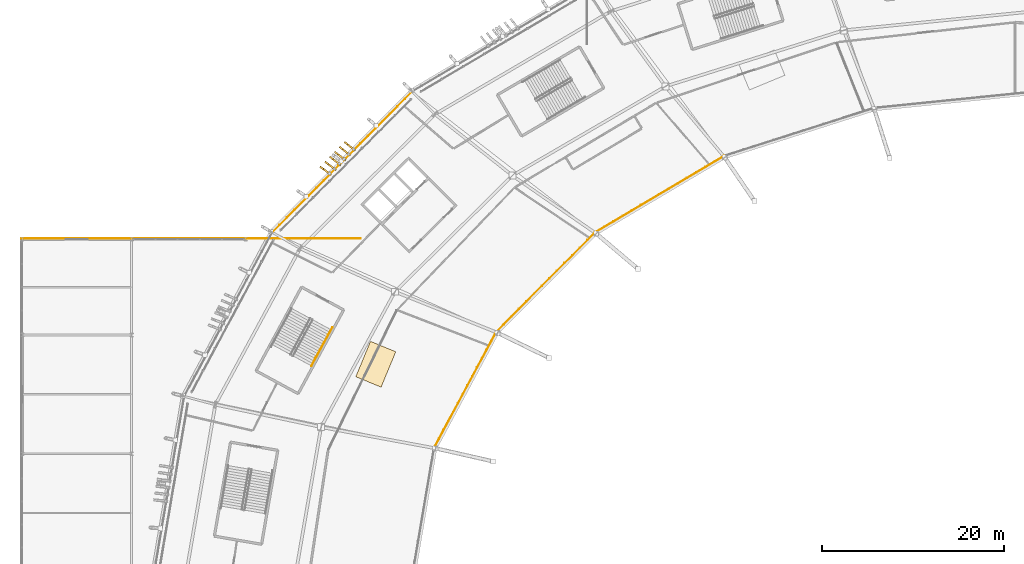
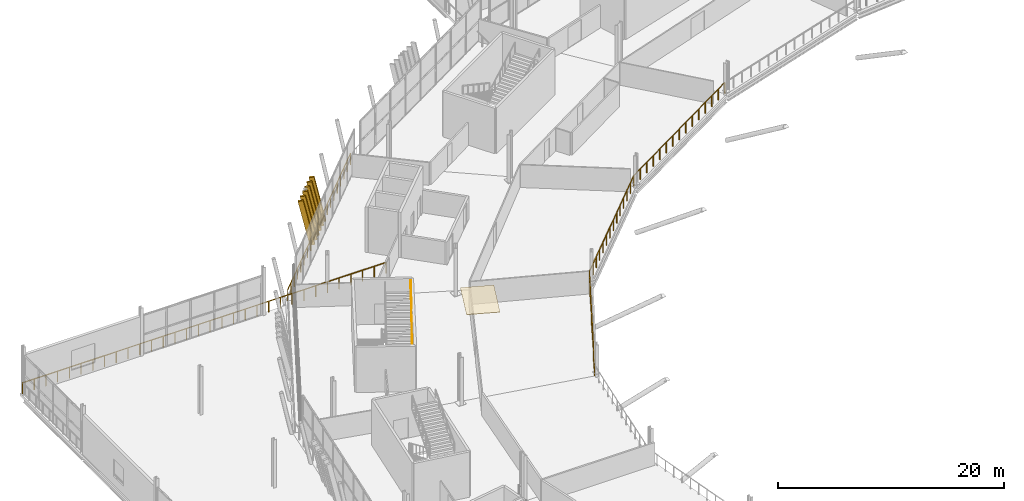
# One storey, part 151 of 168: 6 railings, 6 shading devices, 1 covering.
"""IFC4 building model written with IfcOpenShell, lengths in metres."""

from ifc_helpers import new_model, si_unit, direction, frame, origin, origin_2d, place, context, subcontext, project, spatial, polyline, rectangle, outline, extrude, material, layer, layer_set, material_profile, profile_set, type_object, element, save


model = new_model("IFC4")

# Units and contexts
model_context = context("Model", 3, precision=1e-05, world=origin(), true_north=direction((0.0, 1.0)))
body_context = subcontext(model_context, "Body", "Model", "MODEL_VIEW")
ifc_project = project(units=[si_unit("LENGTHUNIT", "METRE"), si_unit("AREAUNIT", "SQUARE_METRE"), si_unit("VOLUMEUNIT", "CUBIC_METRE"), si_unit("PLANEANGLEUNIT", "RADIAN"), si_unit("MASSUNIT", "GRAM", prefix="KILO")], contexts=[model_context])

# Site, building, storey
site_placement = place(None, origin())
site = spatial("IfcSite", under=ifc_project, at=site_placement, CompositionType="ELEMENT")
building_placement = place(site_placement, origin())
building = spatial("IfcBuilding", under=site, at=building_placement, Name="Zlatoyarsky Gate Stadium", CompositionType="ELEMENT")
storey_placement = place(building_placement, frame((0.0, 0.0, 15.60009765625)))
storey = spatial("IfcBuildingStorey", under=building, at=storey_placement, Name="L03", CompositionType="ELEMENT", Elevation=15.60009765625)

# Railings
ifc_material_1 = material(Name="Powder-coated steel tubular guardrail", Category="steel")
railing_type_1 = type_object("IfcRailingType", Name="CONCOURSE SLAB EDGE GUARDRAIL 1200", PredefinedType="GUARDRAIL", material=ifc_material_1)
railing_1_placement = place(storey_placement, frame((76.909912109375, 125.622314453125, 0.0)))
element("IfcRailing", 1, at=railing_1_placement, inside=storey, type_object=railing_type_1, Name="L03 inner bowl edge guardrail 08", PredefinedType="GUARDRAIL", context=body_context, shape_type="SweptSolid", body=[
    extrude(rectangle(XDim=0.048095703125, YDim=0.048095703125, at=origin_2d()), frame((0.0, 0.0, 1.17578125), z_axis=(-0.860179176511, -0.509991945325, 0.0), x_axis=(0.509991945325, -0.860179176511, 0.0)), (0.0, 0.0, 1.0), 16.41552734375),
    extrude(rectangle(XDim=0.0419921875, YDim=0.0419921875, at=origin_2d()), origin(), (0.0, 0.0, 1.0), 1.15185546875),
    extrude(rectangle(XDim=0.0419921875, YDim=0.0419921875, at=origin_2d()), frame((-1.008544921875, -0.597900390625, 0.0)), (0.0, 0.0, 1.0), 1.15185546875),
    extrude(rectangle(XDim=0.0419921875, YDim=0.0419921875, at=origin_2d()), frame((-2.01708984375, -1.196044921875, 0.0)), (0.0, 0.0, 1.0), 1.15185546875),
    extrude(rectangle(XDim=0.0419921875, YDim=0.0419921875, at=origin_2d()), frame((-3.02587890625, -1.7939453125, 0.0)), (0.0, 0.0, 1.0), 1.15185546875),
    extrude(rectangle(XDim=0.0419921875, YDim=0.0419921875, at=origin_2d()), frame((-4.034423828125, -2.391845703125, 0.0)), (0.0, 0.0, 1.0), 1.15185546875),
    extrude(rectangle(XDim=0.0419921875, YDim=0.0419921875, at=origin_2d()), frame((-5.04296875, -2.989990234375, 0.0)), (0.0, 0.0, 1.0), 1.15185546875),
    extrude(rectangle(XDim=0.0419921875, YDim=0.0419921875, at=origin_2d()), frame((-6.051513671875, -3.587890625, 0.0)), (0.0, 0.0, 1.0), 1.15185546875),
    extrude(rectangle(XDim=0.0419921875, YDim=0.0419921875, at=origin_2d()), frame((-7.06005859375, -4.18603515625, 0.0)), (0.0, 0.0, 1.0), 1.15185546875),
    extrude(rectangle(XDim=0.0419921875, YDim=0.0419921875, at=origin_2d()), frame((-8.06884765625, -4.783935546875, 0.0)), (0.0, 0.0, 1.0), 1.15185546875),
    extrude(rectangle(XDim=0.0419921875, YDim=0.0419921875, at=origin_2d()), frame((-9.077392578125, -5.3818359375, 0.0)), (0.0, 0.0, 1.0), 1.15185546875),
    extrude(rectangle(XDim=0.0419921875, YDim=0.0419921875, at=origin_2d()), frame((-10.0859375, -5.97998046875, 0.0)), (0.0, 0.0, 1.0), 1.15185546875),
    extrude(rectangle(XDim=0.0419921875, YDim=0.0419921875, at=origin_2d()), frame((-11.094482421875, -6.577880859375, 0.0)), (0.0, 0.0, 1.0), 1.15185546875),
    extrude(rectangle(XDim=0.0419921875, YDim=0.0419921875, at=origin_2d()), frame((-12.103271484375, -7.17578125, 0.0)), (0.0, 0.0, 1.0), 1.15185546875),
    extrude(rectangle(XDim=0.0419921875, YDim=0.0419921875, at=origin_2d()), frame((-13.11181640625, -7.77392578125, 0.0)), (0.0, 0.0, 1.0), 1.15185546875),
    extrude(rectangle(XDim=0.0419921875, YDim=0.0419921875, at=origin_2d()), frame((-14.120361328125, -8.371826171875, 0.0)), (0.0, 0.0, 1.0), 1.15185546875),
])
railing_2_placement = place(storey_placement, frame((62.78955078125, 117.25048828125, 0.0)))
element("IfcRailing", 2, at=railing_2_placement, inside=storey, type_object=railing_type_1, Name="L03 inner bowl edge guardrail 09", PredefinedType="GUARDRAIL", context=body_context, shape_type="SweptSolid", body=[
    extrude(rectangle(XDim=0.048095703125, YDim=0.048095703125, at=origin_2d()), frame((0.0, 0.0, 1.17578125), z_axis=(-0.704657425229, -0.709547682027, 0.0), x_axis=(0.709547682027, -0.704657425229, 0.0)), (0.0, 0.0, 1.0), 15.37646484375),
    extrude(rectangle(XDim=0.0419921875, YDim=0.0419921875, at=origin_2d()), origin(), (0.0, 0.0, 1.0), 1.15185546875),
    extrude(rectangle(XDim=0.0419921875, YDim=0.0419921875, at=origin_2d()), frame((-0.83349609375, -0.83935546875, 0.0)), (0.0, 0.0, 1.0), 1.15185546875),
    extrude(rectangle(XDim=0.0419921875, YDim=0.0419921875, at=origin_2d()), frame((-1.6669921875, -1.678466796875, 0.0)), (0.0, 0.0, 1.0), 1.15185546875),
    extrude(rectangle(XDim=0.0419921875, YDim=0.0419921875, at=origin_2d()), frame((-2.50048828125, -2.517822265625, 0.0)), (0.0, 0.0, 1.0), 1.15185546875),
    extrude(rectangle(XDim=0.0419921875, YDim=0.0419921875, at=origin_2d()), frame((-3.333984375, -3.35693359375, 0.0)), (0.0, 0.0, 1.0), 1.15185546875),
    extrude(rectangle(XDim=0.0419921875, YDim=0.0419921875, at=origin_2d()), frame((-4.16748046875, -4.1962890625, 0.0)), (0.0, 0.0, 1.0), 1.15185546875),
    extrude(rectangle(XDim=0.0419921875, YDim=0.0419921875, at=origin_2d()), frame((-5.0009765625, -5.03564453125, 0.0)), (0.0, 0.0, 1.0), 1.15185546875),
    extrude(rectangle(XDim=0.0419921875, YDim=0.0419921875, at=origin_2d()), frame((-5.834228515625, -5.874755859375, 0.0)), (0.0, 0.0, 1.0), 1.15185546875),
    extrude(rectangle(XDim=0.0419921875, YDim=0.0419921875, at=origin_2d()), frame((-6.667724609375, -6.714111328125, 0.0)), (0.0, 0.0, 1.0), 1.15185546875),
    extrude(rectangle(XDim=0.0419921875, YDim=0.0419921875, at=origin_2d()), frame((-7.501220703125, -7.553466796875, 0.0)), (0.0, 0.0, 1.0), 1.15185546875),
    extrude(rectangle(XDim=0.0419921875, YDim=0.0419921875, at=origin_2d()), frame((-8.334716796875, -8.392578125, 0.0)), (0.0, 0.0, 1.0), 1.15185546875),
    extrude(rectangle(XDim=0.0419921875, YDim=0.0419921875, at=origin_2d()), frame((-9.168212890625, -9.23193359375, 0.0)), (0.0, 0.0, 1.0), 1.15185546875),
    extrude(rectangle(XDim=0.0419921875, YDim=0.0419921875, at=origin_2d()), frame((-10.001708984375, -10.071044921875, 0.0)), (0.0, 0.0, 1.0), 1.15185546875),
    extrude(rectangle(XDim=0.0419921875, YDim=0.0419921875, at=origin_2d()), frame((-10.835205078125, -10.910400390625, 0.0)), (0.0, 0.0, 1.0), 1.15185546875),
])
railing_3_placement = place(storey_placement, frame((51.954345703125, 106.340087890625, 0.0)))
element("IfcRailing", 3, at=railing_3_placement, inside=storey, type_object=railing_type_1, Name="L03 inner bowl edge guardrail 10", PredefinedType="GUARDRAIL", context=body_context, shape_type="SweptSolid", body=[
    extrude(rectangle(XDim=0.048095703125, YDim=0.048095703125, at=origin_2d()), frame((0.0, 0.0, 1.17578125), z_axis=(-0.472462954592, -0.88135052989, 0.0), x_axis=(0.88135052989, -0.472462954592, 0.0)), (0.0, 0.0, 1.0), 14.416015625),
    extrude(rectangle(XDim=0.0419921875, YDim=0.0419921875, at=origin_2d()), origin(), (0.0, 0.0, 1.0), 1.15185546875),
    extrude(rectangle(XDim=0.0419921875, YDim=0.0419921875, at=origin_2d()), frame((-0.52392578125, -0.977294921875, 0.0)), (0.0, 0.0, 1.0), 1.15185546875),
    extrude(rectangle(XDim=0.0419921875, YDim=0.0419921875, at=origin_2d()), frame((-1.0478515625, -1.95458984375, 0.0)), (0.0, 0.0, 1.0), 1.15185546875),
    extrude(rectangle(XDim=0.0419921875, YDim=0.0419921875, at=origin_2d()), frame((-1.57177734375, -2.93212890625, 0.0)), (0.0, 0.0, 1.0), 1.15185546875),
    extrude(rectangle(XDim=0.0419921875, YDim=0.0419921875, at=origin_2d()), frame((-2.095703125, -3.909423828125, 0.0)), (0.0, 0.0, 1.0), 1.15185546875),
    extrude(rectangle(XDim=0.0419921875, YDim=0.0419921875, at=origin_2d()), frame((-2.61962890625, -4.88671875, 0.0)), (0.0, 0.0, 1.0), 1.15185546875),
    extrude(rectangle(XDim=0.0419921875, YDim=0.0419921875, at=origin_2d()), frame((-3.1435546875, -5.864013671875, 0.0)), (0.0, 0.0, 1.0), 1.15185546875),
    extrude(rectangle(XDim=0.0419921875, YDim=0.0419921875, at=origin_2d()), frame((-3.66748046875, -6.841552734375, 0.0)), (0.0, 0.0, 1.0), 1.15185546875),
    extrude(rectangle(XDim=0.0419921875, YDim=0.0419921875, at=origin_2d()), frame((-4.19140625, -7.81884765625, 0.0)), (0.0, 0.0, 1.0), 1.15185546875),
    extrude(rectangle(XDim=0.0419921875, YDim=0.0419921875, at=origin_2d()), frame((-4.71533203125, -8.796142578125, 0.0)), (0.0, 0.0, 1.0), 1.15185546875),
    extrude(rectangle(XDim=0.0419921875, YDim=0.0419921875, at=origin_2d()), frame((-5.2392578125, -9.7734375, 0.0)), (0.0, 0.0, 1.0), 1.15185546875),
    extrude(rectangle(XDim=0.0419921875, YDim=0.0419921875, at=origin_2d()), frame((-5.76318359375, -10.7509765625, 0.0)), (0.0, 0.0, 1.0), 1.15185546875),
    extrude(rectangle(XDim=0.0419921875, YDim=0.0419921875, at=origin_2d()), frame((-6.287109375, -11.728271484375, 0.0)), (0.0, 0.0, 1.0), 1.15185546875),
    extrude(rectangle(XDim=0.0419921875, YDim=0.0419921875, at=origin_2d()), frame((-6.81103515625, -12.70556640625, 0.0)), (0.0, 0.0, 1.0), 1.15185546875),
])
railing_4_placement = place(storey_placement, frame((42.74853515625, 132.6953125, 0.0)))
element("IfcRailing", 4, at=railing_4_placement, inside=storey, type_object=railing_type_1, Name="L03 outer slab edge guardrail 09", PredefinedType="GUARDRAIL", context=body_context, shape_type="SweptSolid", body=[
    extrude(rectangle(XDim=0.048095703125, YDim=0.048095703125, at=origin_2d()), frame((0.0, 0.0, 1.17578125), z_axis=(-0.704921221099, -0.709285606822, 0.0), x_axis=(0.709285606822, -0.704921221099, 0.0)), (0.0, 0.0, 1.0), 21.760498046875),
    extrude(rectangle(XDim=0.0419921875, YDim=0.0419921875, at=origin_2d()), origin(), (0.0, 0.0, 1.0), 1.15185546875),
    extrude(rectangle(XDim=0.0419921875, YDim=0.0419921875, at=origin_2d()), frame((-0.807373046875, -0.812255859375, 0.0)), (0.0, 0.0, 1.0), 1.15185546875),
    extrude(rectangle(XDim=0.0419921875, YDim=0.0419921875, at=origin_2d()), frame((-1.61474609375, -1.624755859375, 0.0)), (0.0, 0.0, 1.0), 1.15185546875),
    extrude(rectangle(XDim=0.0419921875, YDim=0.0419921875, at=origin_2d()), frame((-2.422119140625, -2.43701171875, 0.0)), (0.0, 0.0, 1.0), 1.15185546875),
    extrude(rectangle(XDim=0.0419921875, YDim=0.0419921875, at=origin_2d()), frame((-3.229248046875, -3.249267578125, 0.0)), (0.0, 0.0, 1.0), 1.15185546875),
    extrude(rectangle(XDim=0.0419921875, YDim=0.0419921875, at=origin_2d()), frame((-4.03662109375, -4.061767578125, 0.0)), (0.0, 0.0, 1.0), 1.15185546875),
    extrude(rectangle(XDim=0.0419921875, YDim=0.0419921875, at=origin_2d()), frame((-4.843994140625, -4.8740234375, 0.0)), (0.0, 0.0, 1.0), 1.15185546875),
    extrude(rectangle(XDim=0.0419921875, YDim=0.0419921875, at=origin_2d()), frame((-5.6513671875, -5.686279296875, 0.0)), (0.0, 0.0, 1.0), 1.15185546875),
    extrude(rectangle(XDim=0.0419921875, YDim=0.0419921875, at=origin_2d()), frame((-6.458740234375, -6.498779296875, 0.0)), (0.0, 0.0, 1.0), 1.15185546875),
    extrude(rectangle(XDim=0.0419921875, YDim=0.0419921875, at=origin_2d()), frame((-7.26611328125, -7.31103515625, 0.0)), (0.0, 0.0, 1.0), 1.15185546875),
    extrude(rectangle(XDim=0.0419921875, YDim=0.0419921875, at=origin_2d()), frame((-8.0732421875, -8.123291015625, 0.0)), (0.0, 0.0, 1.0), 1.15185546875),
    extrude(rectangle(XDim=0.0419921875, YDim=0.0419921875, at=origin_2d()), frame((-8.880615234375, -8.935546875, 0.0)), (0.0, 0.0, 1.0), 1.15185546875),
    extrude(rectangle(XDim=0.0419921875, YDim=0.0419921875, at=origin_2d()), frame((-9.68798828125, -9.748046875, 0.0)), (0.0, 0.0, 1.0), 1.15185546875),
    extrude(rectangle(XDim=0.0419921875, YDim=0.0419921875, at=origin_2d()), frame((-10.495361328125, -10.560302734375, 0.0)), (0.0, 0.0, 1.0), 1.15185546875),
    extrude(rectangle(XDim=0.0419921875, YDim=0.0419921875, at=origin_2d()), frame((-11.302734375, -11.37255859375, 0.0)), (0.0, 0.0, 1.0), 1.15185546875),
    extrude(rectangle(XDim=0.0419921875, YDim=0.0419921875, at=origin_2d()), frame((-12.110107421875, -12.18505859375, 0.0)), (0.0, 0.0, 1.0), 1.15185546875),
    extrude(rectangle(XDim=0.0419921875, YDim=0.0419921875, at=origin_2d()), frame((-12.917236328125, -12.997314453125, 0.0)), (0.0, 0.0, 1.0), 1.15185546875),
    extrude(rectangle(XDim=0.0419921875, YDim=0.0419921875, at=origin_2d()), frame((-13.724609375, -13.8095703125, 0.0)), (0.0, 0.0, 1.0), 1.15185546875),
    extrude(rectangle(XDim=0.0419921875, YDim=0.0419921875, at=origin_2d()), frame((-14.531982421875, -14.6220703125, 0.0)), (0.0, 0.0, 1.0), 1.15185546875),
    extrude(rectangle(XDim=0.0419921875, YDim=0.0419921875, at=origin_2d()), frame((-15.33935546875, -15.434326171875, 0.0)), (0.0, 0.0, 1.0), 1.15185546875),
])
railing_5_placement = place(storey_placement, frame((-0.080078125, 116.580078125, 0.0)))
element("IfcRailing", 5, at=railing_5_placement, inside=storey, type_object=railing_type_1, Name="V4_WEST L03 N slab edge guardrail", PredefinedType="GUARDRAIL", context=body_context, shape_type="SweptSolid", body=[
    extrude(rectangle(XDim=0.048095703125, YDim=0.048095703125, at=origin_2d()), frame((0.0, 0.0, 1.17578125), z_axis=(1.0, 0.0, 0.0), x_axis=(0.0, 1.0, 0.0)), (0.0, 0.0, 1.0), 37.16015625),
    extrude(rectangle(XDim=0.0419921875, YDim=0.0419921875, at=origin_2d()), origin(), (0.0, 0.0, 1.0), 1.15185546875),
    extrude(rectangle(XDim=0.0419921875, YDim=0.0419921875, at=origin_2d()), frame((1.19873046875, 0.0, 0.0)), (0.0, 0.0, 1.0), 1.15185546875),
    extrude(rectangle(XDim=0.0419921875, YDim=0.0419921875, at=origin_2d()), frame((2.3974609375, 0.0, 0.0)), (0.0, 0.0, 1.0), 1.15185546875),
    extrude(rectangle(XDim=0.0419921875, YDim=0.0419921875, at=origin_2d()), frame((3.59619140625, 0.0, 0.0)), (0.0, 0.0, 1.0), 1.15185546875),
    extrude(rectangle(XDim=0.0419921875, YDim=0.0419921875, at=origin_2d()), frame((4.794921875, 0.0, 0.0)), (0.0, 0.0, 1.0), 1.15185546875),
    extrude(rectangle(XDim=0.0419921875, YDim=0.0419921875, at=origin_2d()), frame((5.99365234375, 0.0, 0.0)), (0.0, 0.0, 1.0), 1.15185546875),
    extrude(rectangle(XDim=0.0419921875, YDim=0.0419921875, at=origin_2d()), frame((7.1923828125, 0.0, 0.0)), (0.0, 0.0, 1.0), 1.15185546875),
    extrude(rectangle(XDim=0.0419921875, YDim=0.0419921875, at=origin_2d()), frame((8.39111328125, 0.0, 0.0)), (0.0, 0.0, 1.0), 1.15185546875),
    extrude(rectangle(XDim=0.0419921875, YDim=0.0419921875, at=origin_2d()), frame((9.589599609375, 0.0, 0.0)), (0.0, 0.0, 1.0), 1.15185546875),
    extrude(rectangle(XDim=0.0419921875, YDim=0.0419921875, at=origin_2d()), frame((10.788330078125, 0.0, 0.0)), (0.0, 0.0, 1.0), 1.15185546875),
    extrude(rectangle(XDim=0.0419921875, YDim=0.0419921875, at=origin_2d()), frame((11.987060546875, 0.0, 0.0)), (0.0, 0.0, 1.0), 1.15185546875),
    extrude(rectangle(XDim=0.0419921875, YDim=0.0419921875, at=origin_2d()), frame((13.185791015625, 0.0, 0.0)), (0.0, 0.0, 1.0), 1.15185546875),
    extrude(rectangle(XDim=0.0419921875, YDim=0.0419921875, at=origin_2d()), frame((14.384521484375, 0.0, 0.0)), (0.0, 0.0, 1.0), 1.15185546875),
    extrude(rectangle(XDim=0.0419921875, YDim=0.0419921875, at=origin_2d()), frame((15.583251953125, 0.0, 0.0)), (0.0, 0.0, 1.0), 1.15185546875),
    extrude(rectangle(XDim=0.0419921875, YDim=0.0419921875, at=origin_2d()), frame((16.781982421875, 0.0, 0.0)), (0.0, 0.0, 1.0), 1.15185546875),
    extrude(rectangle(XDim=0.0419921875, YDim=0.0419921875, at=origin_2d()), frame((17.980712890625, 0.0, 0.0)), (0.0, 0.0, 1.0), 1.15185546875),
    extrude(rectangle(XDim=0.0419921875, YDim=0.0419921875, at=origin_2d()), frame((19.179443359375, 0.0, 0.0)), (0.0, 0.0, 1.0), 1.15185546875),
    extrude(rectangle(XDim=0.0419921875, YDim=0.0419921875, at=origin_2d()), frame((20.378173828125, 0.0, 0.0)), (0.0, 0.0, 1.0), 1.15185546875),
    extrude(rectangle(XDim=0.0419921875, YDim=0.0419921875, at=origin_2d()), frame((21.576904296875, 0.0, 0.0)), (0.0, 0.0, 1.0), 1.15185546875),
    extrude(rectangle(XDim=0.0419921875, YDim=0.0419921875, at=origin_2d()), frame((22.775634765625, 0.0, 0.0)), (0.0, 0.0, 1.0), 1.15185546875),
    extrude(rectangle(XDim=0.0419921875, YDim=0.0419921875, at=origin_2d()), frame((23.974365234375, 0.0, 0.0)), (0.0, 0.0, 1.0), 1.15185546875),
    extrude(rectangle(XDim=0.0419921875, YDim=0.0419921875, at=origin_2d()), frame((25.173095703125, 0.0, 0.0)), (0.0, 0.0, 1.0), 1.15185546875),
    extrude(rectangle(XDim=0.0419921875, YDim=0.0419921875, at=origin_2d()), frame((26.371826171875, 0.0, 0.0)), (0.0, 0.0, 1.0), 1.15185546875),
    extrude(rectangle(XDim=0.0419921875, YDim=0.0419921875, at=origin_2d()), frame((27.570556640625, 0.0, 0.0)), (0.0, 0.0, 1.0), 1.15185546875),
    extrude(rectangle(XDim=0.0419921875, YDim=0.0419921875, at=origin_2d()), frame((28.76904296875, 0.0, 0.0)), (0.0, 0.0, 1.0), 1.15185546875),
    extrude(rectangle(XDim=0.0419921875, YDim=0.0419921875, at=origin_2d()), frame((29.9677734375, 0.0, 0.0)), (0.0, 0.0, 1.0), 1.15185546875),
    extrude(rectangle(XDim=0.0419921875, YDim=0.0419921875, at=origin_2d()), frame((31.16650390625, 0.0, 0.0)), (0.0, 0.0, 1.0), 1.15185546875),
    extrude(rectangle(XDim=0.0419921875, YDim=0.0419921875, at=origin_2d()), frame((32.365234375, 0.0, 0.0)), (0.0, 0.0, 1.0), 1.15185546875),
    extrude(rectangle(XDim=0.0419921875, YDim=0.0419921875, at=origin_2d()), frame((33.56396484375, 0.0, 0.0)), (0.0, 0.0, 1.0), 1.15185546875),
    extrude(rectangle(XDim=0.0419921875, YDim=0.0419921875, at=origin_2d()), frame((34.7626953125, 0.0, 0.0)), (0.0, 0.0, 1.0), 1.15185546875),
    extrude(rectangle(XDim=0.0419921875, YDim=0.0419921875, at=origin_2d()), frame((35.96142578125, 0.0, 0.0)), (0.0, 0.0, 1.0), 1.15185546875),
    extrude(rectangle(XDim=0.0419921875, YDim=0.0419921875, at=origin_2d()), frame((37.16015625, 0.0, 0.0)), (0.0, 0.0, 1.0), 1.15185546875),
])

# Covering
ifc_material_2 = material(Name="Perforated anodised aluminium acoustic ceiling", Category="aluminium")
ifc_layer = layer(ifc_material_2, 0.050048828125)
ifc_layer_set = layer_set([ifc_layer], Name="Perforated anodised aluminium acoustic ceiling")
covering_type = type_object("IfcCoveringType", Name="PERFORATED ACOUSTIC BAFFLE CEILING 50", PredefinedType="CEILING", material=ifc_layer_set)
covering_placement = place(storey_placement, frame((0.0, 0.0, 4.849853515625)))
element("IfcCovering", 6, at=covering_placement, inside=storey, type_object=covering_type, Name="L03 box gallery acoustic ceiling 04", PredefinedType="CEILING", context=body_context, shape_type="SweptSolid", body=[
    extrude(outline(polyline([(40.9423828125, 104.174072265625), (39.335205078125, 100.293701171875), (36.5634765625, 101.44189453125), (38.1708984375, 105.322265625), (40.9423828125, 104.174072265625)])), origin(), (0.0, 0.0, 1.0), 0.050048828125),
])

# Shading devices
ifc_material_3 = material(Name="Precast concrete C40/50 stone-toned architectural rib", Category="masonry")
ifc_material_profile = material_profile(ifc_material_3, rectangle(XDim=0.199951171875, YDim=0.47998046875, at=origin_2d()), Name="RIB 200X480")
ifc_profile_set = profile_set([ifc_material_profile], Name="Precast concrete C40/50 stone-toned architectural rib")
shading_device_type = type_object("IfcShadingDeviceType", Name="PRECAST FLUTED GATE LOUVRE BLADE 200X480", PredefinedType="SHUTTER", material=ifc_profile_set)
for number, where, z_axis, x_axis, name in (
    (7, (36.32177734375, 126.36865234375, -0.010009765625), (-0.172634526226, 0.138761578346, 0.975162829854), (-0.626493721228, -0.779426466873, 0.0), "Leaning bowl louvre fin L03-09-1"),
    (8, (35.793212890625, 125.836669921875, -0.010009765625), (-0.173861754368, 0.137178610191, 0.975168764509), (-0.619419865721, -0.785059889404, 0.0), "Leaning bowl louvre fin L03-09-2"),
    (9, (35.2646484375, 125.304443359375, -0.010009765625), (-0.175088294997, 0.135595078764, 0.975170786873), (-0.61229416772, -0.790630034957, 0.0), "Leaning bowl louvre fin L03-09-3"),
    (10, (34.73583984375, 124.7724609375, -0.010009765625), (-0.176314133342, 0.134011003117, 0.975168896872), (-0.605118362846, -0.796135520465, 0.0), "Leaning bowl louvre fin L03-09-4"),
    (11, (34.207275390625, 124.240478515625, -0.010009765625), (-0.177539254658, 0.132426402323, 0.975163094576), (-0.597894223616, -0.801575010443, 0.0), "Leaning bowl louvre fin L03-09-5"),
    (12, (33.6787109375, 123.70849609375, -0.010009765625), (-0.178764838979, 0.130791079676, 0.975159897567), (-0.590473353714, -0.807057134628, 0.0), "Leaning bowl louvre fin L03-09-6"),
):
    element("IfcShadingDevice", number, at=place(storey_placement, frame(where, z_axis=z_axis, x_axis=x_axis)), inside=storey, type_object=shading_device_type, Name=name, PredefinedType="SHUTTER", context=body_context, shape_type="SweptSolid", body=[
        extrude(rectangle(XDim=0.199951171875, YDim=0.47998046875, at=origin_2d()), origin(), (0.0, 0.0, 1.0), 4.778564453125),
    ])

# Railing
ifc_material_4 = material(Name="Brushed stainless steel 316 handrail", Category="steel")
railing_type_2 = type_object("IfcRailingType", Name="STAINLESS STEEL TUBULAR HANDRAIL 900", PredefinedType="HANDRAIL", material=ifc_material_4)
railing_6_placement = place(storey_placement, frame((31.701904296875, 102.6298828125, 2.766357421875)))
element("IfcRailing", 13, at=railing_6_placement, inside=storey, type_object=railing_type_2, Name="ST-06 L03 stair handrail 2", PredefinedType="HANDRAIL", context=body_context, shape_type="SweptSolid", body=[
    extrude(rectangle(XDim=0.048095703125, YDim=0.048095703125, at=origin_2d()), frame((0.0, 0.0, 0.8759765625), z_axis=(0.419322212027, 0.772856990832, 0.476299227612), x_axis=(-0.878962478599, 0.4768909322, 0.0)), (0.0, 0.0, 1.0), 5.458984375),
    extrude(rectangle(XDim=0.0419921875, YDim=0.0419921875, at=origin_2d()), origin(), (0.0, 0.0, 1.0), 0.851806640625),
    extrude(rectangle(XDim=0.0419921875, YDim=0.0419921875, at=origin_2d()), frame((0.457763671875, 0.84375, 0.52001953125)), (0.0, 0.0, 1.0), 0.851806640625),
    extrude(rectangle(XDim=0.0419921875, YDim=0.0419921875, at=origin_2d()), frame((0.91552734375, 1.6875, 1.0400390625)), (0.0, 0.0, 1.0), 0.851806640625),
    extrude(rectangle(XDim=0.0419921875, YDim=0.0419921875, at=origin_2d()), frame((1.37353515625, 2.531494140625, 1.56005859375)), (0.0, 0.0, 1.0), 0.851806640625),
    extrude(rectangle(XDim=0.0419921875, YDim=0.0419921875, at=origin_2d()), frame((1.831298828125, 3.375244140625, 2.080078125)), (0.0, 0.0, 1.0), 0.851806640625),
    extrude(rectangle(XDim=0.0419921875, YDim=0.0419921875, at=origin_2d()), frame((2.2890625, 4.218994140625, 2.60009765625)), (0.0, 0.0, 1.0), 0.851806640625),
])

save(model, "model.ifc")
